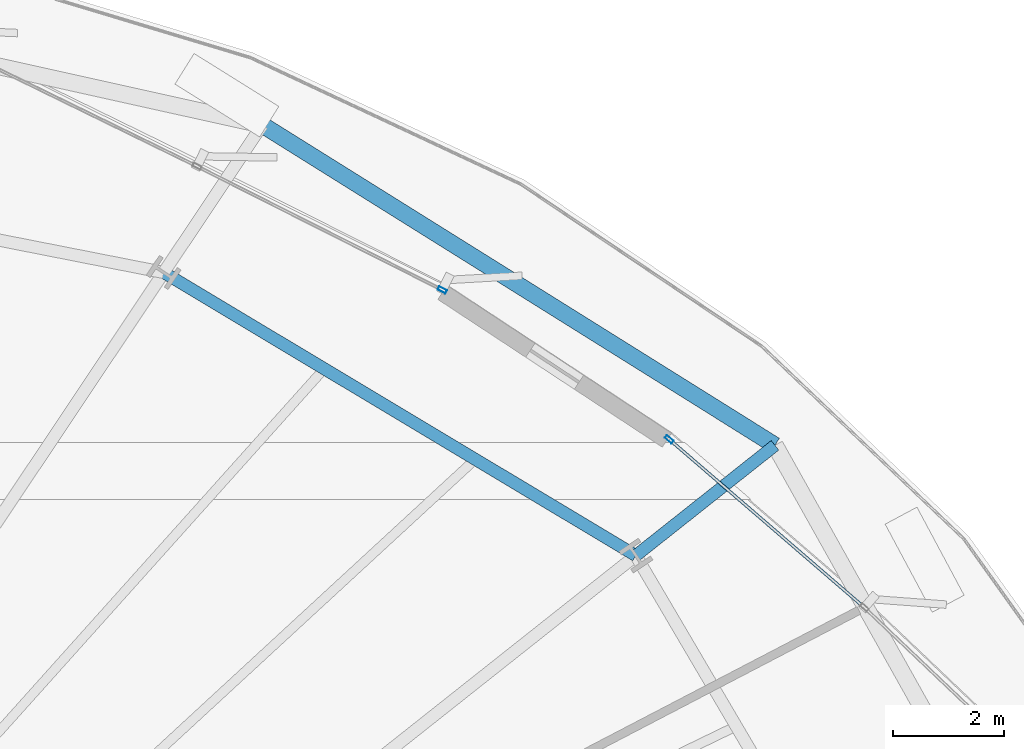
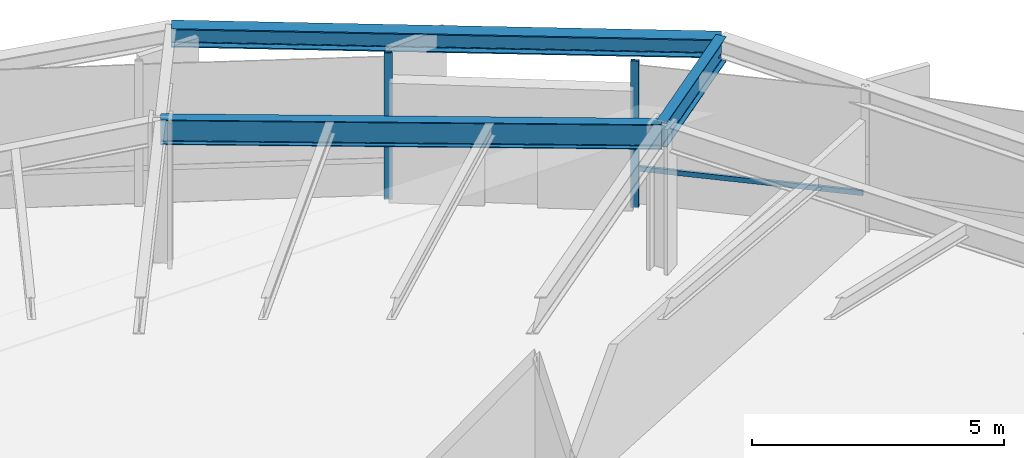
# One storey, part 27 of 39: 3 beams, 3 members, 2 elements without a shape of their own.
"""IFC4 building model written with IfcOpenShell, lengths in metres."""

import ifcopenshell
import ifcopenshell.guid

model = None  # the IFC model being written
_history = None  # IfcOwnerHistory: only IFC2X3 demands one
_inside = {}  # id of a spatial element -> (the spatial element, [elements in it])
_under = {}  # id of a project, library or spatial element -> (it, [spatial elements below it])
_declared = {}  # id of a project -> (the project, [libraries it declares])
_typed = {}  # id of a type object -> (the type object, [elements of that type])
_made_of = {}  # id of a material, layer set ... -> (it, [elements and type objects made of it])


def new_model(schema):
    """Start an empty IFC model of exactly this schema.

    Asked for "IFC4X3", IfcOpenShell would pick the latest addendum, in which some entities
    have other attributes; the version numbers below select the first issue.
    IFC2X3 requires an IfcOwnerHistory on every rooted entity: one is made here for all.
    """
    global model, _history
    if schema == "IFC4X3":
        model = ifcopenshell.file(schema_version=(4, 3, 0, 0))
    else:
        model = ifcopenshell.file(schema=schema)
    _inside.clear()
    _under.clear()
    _declared.clear()
    _typed.clear()
    _made_of.clear()
    _history = None
    if model.schema == "IFC2X3":
        org = make("IfcOrganization", Name="unknown")
        user = make(
            "IfcPersonAndOrganization",
            ThePerson=make("IfcPerson", FamilyName="unknown"),
            TheOrganization=org,
        )
        app = make(
            "IfcApplication",
            ApplicationDeveloper=org,
            Version="unknown",
            ApplicationFullName="unknown",
            ApplicationIdentifier="unknown",
        )
        _history = make(
            "IfcOwnerHistory",
            OwningUser=user,
            OwningApplication=app,
            ChangeAction="ADDED",
            CreationDate=0,
        )
    return model


def make(cls, **values):
    """One entity of the class cls with the attributes given. An attribute that is None is left unset."""
    return model.create_entity(
        cls, **{name: value for name, value in values.items() if value is not None}
    )


def rooted(cls, **values):
    """An entity with a GlobalId (a new one), such as an element, a storey or a relation."""
    return make(cls, GlobalId=ifcopenshell.guid.new(), OwnerHistory=_history, **values)


def si_unit(unit_type, name, prefix=None):
    """IfcSIUnit, for example si_unit("LENGTHUNIT", "METRE", prefix="MILLI")."""
    return make("IfcSIUnit", UnitType=unit_type, Prefix=prefix, Name=name)


def assignment(units):
    """IfcUnitAssignment: the units of a project."""
    return None if units is None else make("IfcUnitAssignment", Units=units)


def point(xyz):
    """IfcCartesianPoint."""
    return None if xyz is None else make("IfcCartesianPoint", Coordinates=xyz)


def direction(xyz):
    """IfcDirection."""
    return None if xyz is None else make("IfcDirection", DirectionRatios=xyz)


def frame(location, z_axis=None, x_axis=None):
    """IfcAxis2Placement3D, a coordinate frame: its origin and axes. An axis left out is left unset."""
    return make(
        "IfcAxis2Placement3D",
        Location=point(location),
        Axis=direction(z_axis),
        RefDirection=direction(x_axis),
    )


def frame_2d(location, x_axis=None):
    """IfcAxis2Placement2D, a coordinate frame in the plane: its origin and x axis."""
    return make(
        "IfcAxis2Placement2D", Location=point(location), RefDirection=direction(x_axis)
    )


def origin():
    """The frame at (0, 0, 0) with its axes left unset."""
    return frame((0.0, 0.0, 0.0))


def origin_2d():
    """The frame at (0, 0) in the plane with its x axis left unset."""
    return frame_2d((0.0, 0.0))


def place(relative_to, where):
    """IfcLocalPlacement: puts the frame where relative to a parent placement (None: the world)."""
    return make(
        "IfcLocalPlacement", PlacementRelTo=relative_to, RelativePlacement=where
    )


def context(
    kind, dimensions, precision=None, world=None, true_north=None, identifier=None
):
    """IfcGeometricRepresentationContext, for example the 3D "Model" context."""
    return make(
        "IfcGeometricRepresentationContext",
        ContextIdentifier=identifier,
        ContextType=kind,
        CoordinateSpaceDimension=dimensions,
        Precision=precision,
        WorldCoordinateSystem=world,
        TrueNorth=true_north,
    )


def subcontext(parent, identifier, kind, view, scale=None):
    """IfcGeometricRepresentationSubContext, for example "Body" below "Model"."""
    return make(
        "IfcGeometricRepresentationSubContext",
        ContextIdentifier=identifier,
        ContextType=kind,
        ParentContext=parent,
        TargetScale=scale,
        TargetView=view,
    )


def project(units=None, contexts=None):
    """IfcProject with its units and contexts."""
    return rooted(
        "IfcProject",
        Name="project",
        RepresentationContexts=contexts,
        UnitsInContext=assignment(units),
    )


def spatial(cls, under=None, at=None, **own):
    """A site, building, storey or space (cls), placed at a placement, below another one or the project."""
    s = rooted(cls, ObjectPlacement=at, **own)
    if under is not None:
        _under.setdefault(under.id(), (under, []))[1].append(s)
    return s


def profile(cls, at=None, kind="AREA", **sizes):
    """A parametric profile (cls). Its sizes go by their IFC names, for example OverallWidth=200.0."""
    return make(cls, ProfileType=kind, Position=at, **sizes)


def hollow_rectangle(**sizes):
    """IfcRectangleHollowProfileDef."""
    return profile("IfcRectangleHollowProfileDef", **sizes)


def i_section(**sizes):
    """IfcIShapeProfileDef."""
    return profile("IfcIShapeProfileDef", **sizes)


def extrude(swept, where, along, depth):
    """IfcExtrudedAreaSolid: the profile swept, set in the frame where, extruded along a direction by depth."""
    return make(
        "IfcExtrudedAreaSolid",
        SweptArea=swept,
        Position=where,
        ExtrudedDirection=direction(along),
        Depth=depth,
    )


def shape(context_of_items, identifier, shape_type, items):
    """IfcShapeRepresentation: the items that make up one representation, for example the "Body"."""
    return make(
        "IfcShapeRepresentation",
        ContextOfItems=context_of_items,
        RepresentationIdentifier=identifier,
        RepresentationType=shape_type,
        Items=items,
    )


def source(mapping_origin, context_of_items, identifier, shape_type, items):
    """IfcRepresentationMap: a shape defined once, which mapped items show again and again."""
    return make(
        "IfcRepresentationMap",
        MappingOrigin=mapping_origin,
        MappedRepresentation=shape(context_of_items, identifier, shape_type, items),
    )


def transform(
    local_origin,
    x_axis=None,
    y_axis=None,
    z_axis=None,
    scale=None,
    scale2=None,
    scale3=None,
    uniform=True,
):
    """IfcCartesianTransformationOperator3D, or its non-uniform kind. x_axis, y_axis, z_axis: its Axis1, 2, 3."""
    if uniform:
        return make(
            "IfcCartesianTransformationOperator3D",
            Axis1=direction(x_axis),
            Axis2=direction(y_axis),
            LocalOrigin=point(local_origin),
            Scale=scale,
            Axis3=direction(z_axis),
        )
    return make(
        "IfcCartesianTransformationOperator3DnonUniform",
        Axis1=direction(x_axis),
        Axis2=direction(y_axis),
        LocalOrigin=point(local_origin),
        Scale=scale,
        Axis3=direction(z_axis),
        Scale2=scale2,
        Scale3=scale3,
    )


def mapped(mapping_source, mapping_target):
    """IfcMappedItem: shows the shape of a source again, moved by a transform."""
    return make(
        "IfcMappedItem", MappingSource=mapping_source, MappingTarget=mapping_target
    )


def material(Name=None, Category=None):
    """IfcMaterial."""
    return make("IfcMaterial", Name=Name, Category=Category)


def layer(
    of_material, thickness, ventilated=None, Name=None, Category=None, Priority=None
):
    """IfcMaterialLayer: one layer of a wall or slab, of a material (None: an air gap)."""
    return make(
        "IfcMaterialLayer",
        Material=of_material,
        LayerThickness=thickness,
        IsVentilated=ventilated,
        Name=Name,
        Category=Category,
        Priority=Priority,
    )


def layer_set(layers, Name=None):
    """IfcMaterialLayerSet."""
    return make("IfcMaterialLayerSet", MaterialLayers=layers, LayerSetName=Name)


def material_profile(
    of_material, cross_section, Name=None, Category=None, Priority=None
):
    """IfcMaterialProfile: a cross section and its material."""
    return make(
        "IfcMaterialProfile",
        Name=Name,
        Material=of_material,
        Profile=cross_section,
        Priority=Priority,
        Category=Category,
    )


def profile_set(profiles, Name=None, composite=None):
    """IfcMaterialProfileSet."""
    return make(
        "IfcMaterialProfileSet",
        Name=Name,
        MaterialProfiles=profiles,
        CompositeProfile=composite,
    )


def made_of(thing, what):
    """Note that an element or type object is made of a material, layer set ...; save() writes the relation."""
    if what is not None:
        _made_of.setdefault(what.id(), (what, []))[1].append(thing)
    return thing


def type_object(cls, material=None, **own):
    """A type object (cls), such as IfcWallType, which elements share."""
    return made_of(rooted(cls, **own), material)


def element(
    cls,
    number,
    at=None,
    inside=None,
    cuts=None,
    type_object=None,
    material=None,
    context=None,
    identifier="Body",
    shape_type=None,
    held_by="IfcProductDefinitionShape",
    body=None,
    shapes=None,
    **own,
):
    """One element of the class cls, such as IfcWall. Its Tag is "e" and its number.

    at: its placement. inside: the storey or other place that contains it. cuts: it is an
    opening in that element (IfcRelVoidsElement). A single representation is given by context,
    identifier, shape_type and body (its items); several are given by shapes. held_by: the class
    of the entity that holds the representations. save() writes the other relations.
    """
    e = rooted(cls, Tag="e%d" % number, ObjectPlacement=at, **own)
    if body is not None:
        shapes = [shape(context, identifier, shape_type, body)]
    if shapes is not None:
        e.Representation = make(held_by, Representations=shapes)
    if inside is not None:
        _inside.setdefault(inside.id(), (inside, []))[1].append(e)
    if cuts is not None:
        rooted(
            "IfcRelVoidsElement", RelatingBuildingElement=cuts, RelatedOpeningElement=e
        )
    if type_object is not None:
        _typed.setdefault(type_object.id(), (type_object, []))[1].append(e)
    return made_of(e, material)


def aggregate(whole, parts):
    """IfcRelAggregates: a whole, such as a stair, and the parts it consists of."""
    return rooted("IfcRelAggregates", RelatingObject=whole, RelatedObjects=parts)


def save(model, path):
    """Write the relations noted so far, then the file.

    IfcRelAggregates (storeys below a building ...), IfcRelContainedInSpatialStructure (elements
    in a storey), IfcRelDefinesByType, IfcRelAssociatesMaterial and IfcRelDeclares: one each for
    every whole, place, type object, material and project.
    """
    for whole, parts in _under.values():
        aggregate(whole, parts)
    for where, things in _inside.values():
        rooted(
            "IfcRelContainedInSpatialStructure",
            RelatedElements=things,
            RelatingStructure=where,
        )
    for kind, things in _typed.values():
        rooted("IfcRelDefinesByType", RelatedObjects=things, RelatingType=kind)
    for what, things in _made_of.values():
        rooted("IfcRelAssociatesMaterial", RelatedObjects=things, RelatingMaterial=what)
    for by, libraries in _declared.values():
        rooted("IfcRelDeclares", RelatingContext=by, RelatedDefinitions=libraries)
    model.write(path)


model = new_model("IFC4")

# Units and contexts
model_context = context("Model", 3, precision=1e-05, world=origin(), true_north=direction((0.0, 1.0)))
body_context = subcontext(model_context, "Body", "Model", "MODEL_VIEW")
ifc_project = project(units=[si_unit("LENGTHUNIT", "METRE"), si_unit("AREAUNIT", "SQUARE_METRE"), si_unit("VOLUMEUNIT", "CUBIC_METRE"), si_unit("PLANEANGLEUNIT", "RADIAN"), si_unit("MASSUNIT", "GRAM", prefix="KILO"), si_unit("THERMODYNAMICTEMPERATUREUNIT", "KELVIN")], contexts=[model_context])

# Site, building, storey
site_placement = place(None, origin())
site = spatial("IfcSite", under=ifc_project, at=site_placement, CompositionType="ELEMENT")
building_placement = place(site_placement, origin())
building = spatial("IfcBuilding", under=site, at=building_placement, Name="Kethvar Cultural Tower", CompositionType="ELEMENT")
storey_placement = place(building_placement, frame((0.0, 0.0, 44.800048828125)))
storey = spatial("IfcBuildingStorey", under=building, at=storey_placement, Name="L10", CompositionType="ELEMENT", Elevation=44.800048828125)

# Beams
ifc_material_1 = material(Name="Steel S355J2", Category="steel")
ifc_material_profile_1 = material_profile(ifc_material_1, i_section(OverallWidth=0.219970703125, OverallDepth=0.60009765625, WebThickness=0.011962890625, FlangeThickness=0.01904296875, FilletRadius=0.02392578125, at=origin_2d()), Name="Steel S355J2 — IPE600")
ifc_profile_set_1 = profile_set([ifc_material_profile_1], Name="Steel S355J2 — IPE600")
beam_type_1 = type_object("IfcBeamType", Name="BM-IPE600", PredefinedType="BEAM", material=ifc_profile_set_1)
shared_shape_1 = source(origin(), body_context, "Body", "SweptSolid", [
    extrude(i_section(OverallWidth=0.219970703125, OverallDepth=0.60009765625, WebThickness=0.011962890625, FlangeThickness=0.01904296875, FilletRadius=0.02392578125, at=origin_2d()), origin(), (0.0, 0.0, 1.0), 3.199951171875),
])
beam_1_placement = place(storey_placement, frame((68.33642578125, 42.190185546875, 3.248046875), z_axis=(0.783844666756, 0.62095695374, 0.0), x_axis=(-0.62095695374, 0.783844666756, 0.0)))
element("IfcBeam", 1, at=beam_1_placement, inside=storey, type_object=beam_type_1, Name="L10 Perimeter Cantilever Beam RC-02", PredefinedType="BEAM", context=body_context, shape_type="MappedRepresentation", body=[
    mapped(shared_shape_1, transform((0.0, 0.0, 0.0), scale=1.0)),
])
shared_shape_2 = source(origin(), body_context, "Body", "SweptSolid", [
    extrude(i_section(OverallWidth=0.219970703125, OverallDepth=0.60009765625, WebThickness=0.011962890625, FlangeThickness=0.01904296875, FilletRadius=0.02392578125, at=origin_2d()), origin(), (0.0, 0.0, 1.0), 9.924072265625),
])
beam_2_placement = place(storey_placement, frame((68.33642578125, 42.190185546875, 3.248046875), z_axis=(-0.857664361463, 0.514209921215, 0.0), x_axis=(-0.514209921215, -0.857664361463, 0.0)))
element("IfcBeam", 2, at=beam_2_placement, inside=storey, type_object=beam_type_1, Name="L10 Column Ring Tie Beam CR-02", PredefinedType="BEAM", context=body_context, shape_type="MappedRepresentation", body=[
    mapped(shared_shape_2, transform((0.0, 0.0, 0.0), scale=1.0)),
])
ifc_material_profile_2 = material_profile(ifc_material_1, i_section(OverallWidth=0.300048828125, OverallDepth=0.449951171875, WebThickness=0.013916015625, FlangeThickness=0.02587890625, FilletRadius=0.027099609375, at=origin_2d()), Name="Steel S355J2 — HEB450")
ifc_profile_set_2 = profile_set([ifc_material_profile_2], Name="Steel S355J2 — HEB450")
beam_type_2 = type_object("IfcBeamType", Name="BM-SP450", PredefinedType="SPANDREL", material=ifc_profile_set_2)
shared_shape_3 = source(origin(), body_context, "Body", "SweptSolid", [
    extrude(i_section(OverallWidth=0.300048828125, OverallDepth=0.449951171875, WebThickness=0.013916015625, FlangeThickness=0.02587890625, FilletRadius=0.027099609375, at=origin_2d()), origin(), (0.0, 0.0, 1.0), 10.89892578125),
])
beam_3_placement = place(storey_placement, frame((70.8447265625, 44.17724609375, 3.322998046875), z_axis=(-0.847971875365, 0.530041223481, 0.0), x_axis=(-0.530041223481, -0.847971875365, 0.0)))
element("IfcBeam", 3, at=beam_3_placement, inside=storey, type_object=beam_type_2, Name="L10 Perimeter Spandrel Beam SP-02", PredefinedType="SPANDREL", context=body_context, shape_type="MappedRepresentation", body=[
    mapped(shared_shape_3, transform((0.0, 0.0, 0.0), scale=1.0)),
])

# Curtain wall, member
ifc_material_2 = material(Name="Aluminium 6063-T6", Category="aluminium")
ifc_layer = layer(ifc_material_2, 0.179931640625, Name="Aluminium 6063-T6", Category="aluminium")
ifc_layer_set = layer_set([ifc_layer], Name="Aluminium 6063-T6 (180 mm)")
curtain_wall_type = type_object("IfcCurtainWallType", Name="CW-SYS-02-Z1", PredefinedType="NOTDEFINED", material=ifc_layer_set)
curtain_wall_1_placement = place(storey_placement, origin())
curtain_wall_1 = element("IfcCurtainWall", 4, at=curtain_wall_1_placement, inside=storey, type_object=curtain_wall_type, Name="L10 Curtain Wall Run 01", PredefinedType="NOTDEFINED")
ifc_material_profile_3 = material_profile(ifc_material_2, hollow_rectangle(XDim=0.06494140625, YDim=0.159912109375, WallThickness=0.0048828125, at=origin_2d()), Name="Aluminium 6063-T6 — RHS160x65x5")
ifc_profile_set_3 = profile_set([ifc_material_profile_3], Name="Aluminium 6063-T6 — RHS160x65x5")
member_type_1 = type_object("IfcMemberType", Name="CW-SYS-02-Z1-MUL", PredefinedType="MULLION", material=ifc_profile_set_3)
shared_shape_4 = source(origin(), body_context, "Body", "SweptSolid", [
    extrude(hollow_rectangle(XDim=0.06494140625, YDim=0.159912109375, WallThickness=0.0048828125, at=origin_2d()), origin(), (0.0, 0.0, 1.0), 3.550048828125),
])
member_1_placement = place(storey_placement, frame((68.936767578125, 44.28662109375, 0.0), z_axis=(0.0, 0.0, 1.0), x_axis=(-0.652812638885, -0.75751941131, 0.0)))
member_1 = element("IfcMember", 5, at=member_1_placement, type_object=member_type_1, Name="CW-L10-R01 Mullion 5", PredefinedType="MULLION", context=body_context, shape_type="MappedRepresentation", body=[
    mapped(shared_shape_4, transform((0.0, 0.0, 0.0), scale=1.0)),
])

curtain_wall_2_placement = place(storey_placement, origin())
curtain_wall_2 = element("IfcCurtainWall", 6, at=curtain_wall_2_placement, inside=storey, type_object=curtain_wall_type, Name="L10 Curtain Wall Run 02", PredefinedType="NOTDEFINED")
member_2_placement = place(storey_placement, frame((64.8466796875, 46.97900390625, 0.0), z_axis=(0.0, 0.0, 1.0), x_axis=(-0.450191951106, -0.892931804316, 0.0)))
member_2 = element("IfcMember", 7, at=member_2_placement, type_object=member_type_1, Name="CW-L10-R02 Mullion 1", PredefinedType="MULLION", context=body_context, shape_type="MappedRepresentation", body=[
    mapped(shared_shape_4, transform((0.0, 0.0, 0.0), scale=1.0)),
])
aggregate(curtain_wall_2, [member_2])

# Member
ifc_material_profile_4 = material_profile(ifc_material_2, hollow_rectangle(XDim=0.054931640625, YDim=0.1201171875, WallThickness=0.00390625, at=origin_2d()), Name="Aluminium 6063-T6 — RHS120x55x4")
ifc_profile_set_4 = profile_set([ifc_material_profile_4], Name="Aluminium 6063-T6 — RHS120x55x4")
member_type_2 = type_object("IfcMemberType", Name="CW-SYS-02-Z1-TRN", PredefinedType="USERDEFINED", material=ifc_profile_set_4)
shared_shape_5 = source(origin(), body_context, "Body", "SweptSolid", [
    extrude(hollow_rectangle(XDim=0.054931640625, YDim=0.1201171875, WallThickness=0.00390625, at=origin_2d()), origin(), (0.0, 0.0, 1.0), 4.59521484375),
])
member_3_placement = place(storey_placement, frame((72.421142578125, 41.28369140625, 0.949951171875), z_axis=(-0.757525016134, 0.652806135029, 0.0), x_axis=(-0.652806135029, -0.757525016134, 0.0)))
member_3 = element("IfcMember", 8, at=member_3_placement, type_object=member_type_2, Name="CW-L10-R01 Transom 4", ObjectType="TRANSOM", PredefinedType="USERDEFINED", context=body_context, shape_type="MappedRepresentation", body=[
    mapped(shared_shape_5, transform((0.0, 0.0, 0.0), scale=1.0)),
])

aggregate(curtain_wall_1, [member_1, member_3])

save(model, "model.ifc")
